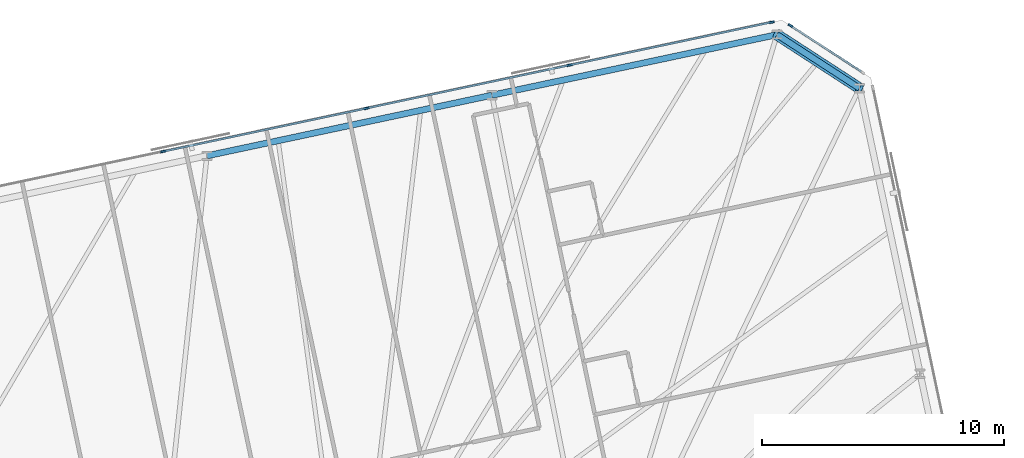
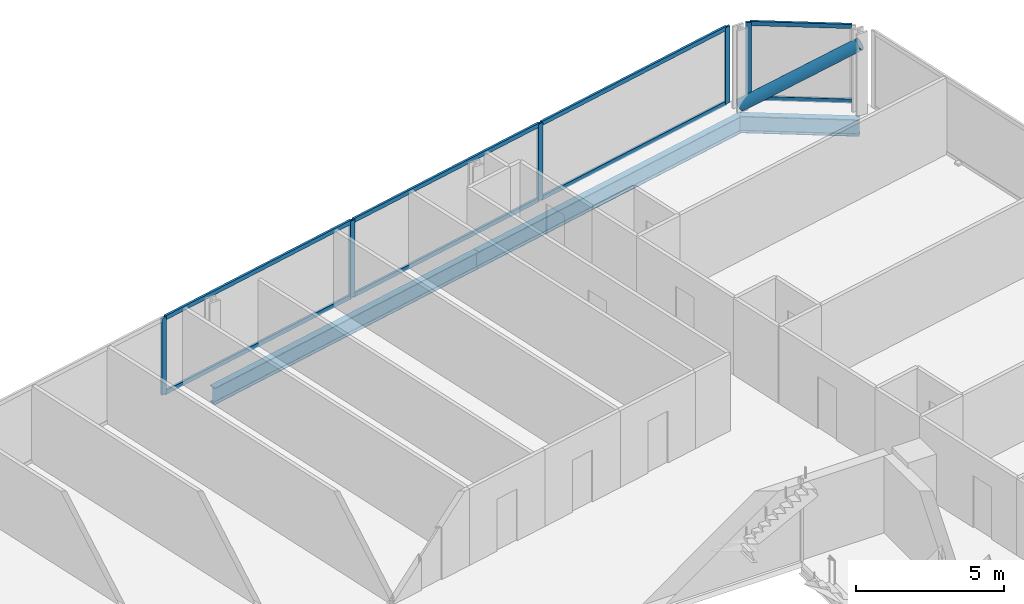
# One storey, part 11 of 21: 14 members, 3 beams, 2 elements without a shape of their own.
"""IFC4 building model written with IfcOpenShell, lengths in metres."""

from ifc_helpers import new_model, si_unit, direction, frame, origin, origin_2d, place, context, subcontext, project, spatial, rectangle, hollow_circle, i_section, extrude, material, material_profile, profile_set, type_object, element, aggregate, save


model = new_model("IFC4")

# Units and contexts
model_context = context("Model", 3, precision=1e-05, world=origin(), true_north=direction((0.0, 1.0)))
body_context = subcontext(model_context, "Body", "Model", "MODEL_VIEW")
ifc_project = project(units=[si_unit("LENGTHUNIT", "METRE"), si_unit("AREAUNIT", "SQUARE_METRE"), si_unit("VOLUMEUNIT", "CUBIC_METRE"), si_unit("PLANEANGLEUNIT", "RADIAN"), si_unit("MASSUNIT", "GRAM", prefix="KILO")], contexts=[model_context])

# Site, building, storey
site_placement = place(None, origin())
site = spatial("IfcSite", under=ifc_project, at=site_placement, CompositionType="ELEMENT")
building_placement = place(site_placement, origin())
building = spatial("IfcBuilding", under=site, at=building_placement, Name="Menara Jurai Vektor", CompositionType="ELEMENT")
storey_placement = place(building_placement, frame((0.0, 0.0, 188.800048828125)))
storey = spatial("IfcBuildingStorey", under=building, at=storey_placement, Name="L49", CompositionType="ELEMENT", Elevation=188.800048828125)

# Curtain wall, member
ifc_material_1 = material(Name="Anodised Pale Aluminium & Low-E Double Glazing", Category="aluminium")
curtain_wall_type = type_object("IfcCurtainWallType", Name="CW-BLK3", PredefinedType="NOTDEFINED", material=ifc_material_1)
curtain_wall_1_placement = place(storey_placement, origin())
curtain_wall_1 = element("IfcCurtainWall", 1, at=curtain_wall_1_placement, inside=storey, type_object=curtain_wall_type, Name="Unitised Curtain Wall L49 F04", PredefinedType="NOTDEFINED")
ifc_material_2 = material(Name="Anodised Pale Aluminium Mullion", Category="aluminium")
ifc_material_profile_1 = material_profile(ifc_material_2, rectangle(XDim=0.0849609375, YDim=0.205078125, at=origin_2d()), Name="ALU MUL 85x205")
ifc_profile_set_1 = profile_set([ifc_material_profile_1], Name="Anodised Pale Aluminium Mullion")
member_type_1 = type_object("IfcMemberType", Name="CW-BLK3-MUL", PredefinedType="MULLION", material=ifc_profile_set_1)
member_1_placement = place(storey_placement, frame((23.219970703125, 29.920654296875, 0.0), z_axis=(0.0, 0.0, 1.0), x_axis=(-0.544617794346, -0.838684361415, 0.0)))
member_1 = element("IfcMember", 2, at=member_1_placement, type_object=member_type_1, Name="CW-03 mullion 2", PredefinedType="MULLION", context=body_context, shape_type="SweptSolid", body=[
    extrude(rectangle(XDim=0.0849609375, YDim=0.205078125, at=origin_2d()), origin(), (0.0, 0.0, 1.0), 3.175048828125),
])

# Curtain wall, members
curtain_wall_2_placement = place(storey_placement, origin())
curtain_wall_2 = element("IfcCurtainWall", 3, at=curtain_wall_2_placement, inside=storey, type_object=curtain_wall_type, Name="Unitised Curtain Wall L49 F05", PredefinedType="NOTDEFINED")
member_2_placement = place(storey_placement, frame((22.452392578125, 30.062744140625, 0.0), z_axis=(0.0, 0.0, 1.0), x_axis=(0.207911344156, -0.978147674419, 0.0)))
member_2 = element("IfcMember", 4, at=member_2_placement, type_object=member_type_1, Name="CW-03 mullion 1", PredefinedType="MULLION", context=body_context, shape_type="SweptSolid", body=[
    extrude(rectangle(XDim=0.0849609375, YDim=0.205078125, at=origin_2d()), origin(), (0.0, 0.0, 1.0), 3.175048828125),
])
member_3_placement = place(storey_placement, frame((14.104248046875, 28.288330078125, 0.0), z_axis=(0.0, 0.0, 1.0), x_axis=(0.207911344156, -0.978147674419, 0.0)))
member_3 = element("IfcMember", 5, at=member_3_placement, type_object=member_type_1, Name="CW-03 mullion 2", PredefinedType="MULLION", context=body_context, shape_type="SweptSolid", body=[
    extrude(rectangle(XDim=0.0849609375, YDim=0.205078125, at=origin_2d()), origin(), (0.0, 0.0, 1.0), 3.175048828125),
])
member_4_placement = place(storey_placement, frame((5.71435546875, 26.505126953125, 0.0), z_axis=(0.0, 0.0, 1.0), x_axis=(0.207911344156, -0.978147674419, 0.0)))
member_4 = element("IfcMember", 6, at=member_4_placement, type_object=member_type_1, Name="CW-03 mullion 3", PredefinedType="MULLION", context=body_context, shape_type="SweptSolid", body=[
    extrude(rectangle(XDim=0.0849609375, YDim=0.205078125, at=origin_2d()), origin(), (0.0, 0.0, 1.0), 3.175048828125),
])
member_5_placement = place(storey_placement, frame((-2.67529296875, 24.721923828125, 0.0), z_axis=(0.0, 0.0, 1.0), x_axis=(0.207911344156, -0.978147674419, 0.0)))
member_5 = element("IfcMember", 7, at=member_5_placement, type_object=member_type_1, Name="CW-03 mullion 4", PredefinedType="MULLION", context=body_context, shape_type="SweptSolid", body=[
    extrude(rectangle(XDim=0.0849609375, YDim=0.205078125, at=origin_2d()), origin(), (0.0, 0.0, 1.0), 3.175048828125),
])

# Member
ifc_material_3 = material(Name="Anodised Pale Aluminium Transom", Category="aluminium")
ifc_material_profile_2 = material_profile(ifc_material_3, rectangle(XDim=0.0849609375, YDim=0.175048828125, at=origin_2d()), Name="ALU TRN 85x175")
ifc_profile_set_2 = profile_set([ifc_material_profile_2], Name="Anodised Pale Aluminium Transom")
member_type_2 = type_object("IfcMemberType", Name="CW-BLK3-TRN", PredefinedType="USERDEFINED", material=ifc_profile_set_2)
member_6_placement = place(storey_placement, frame((26.15234375, 28.016357421875, 0.04248046875), z_axis=(-0.83867770631, 0.54462804274, 0.0), x_axis=(-0.54462804274, -0.83867770631, 0.0)))
member_6 = element("IfcMember", 8, at=member_6_placement, type_object=member_type_2, Name="CW-03 transom 1.1", ObjectType="TRANSOM", PredefinedType="USERDEFINED", context=body_context, shape_type="SweptSolid", body=[
    extrude(rectangle(XDim=0.0849609375, YDim=0.175048828125, at=origin_2d()), origin(), (0.0, 0.0, 1.0), 3.453857421875),
])

member_7_placement = place(storey_placement, frame((26.15234375, 28.016357421875, 3.132568359375), z_axis=(-0.83867770631, 0.54462804274, 0.0), x_axis=(-0.54462804274, -0.83867770631, 0.0)))
member_7 = element("IfcMember", 9, at=member_7_placement, type_object=member_type_2, Name="CW-03 transom 1.2", ObjectType="TRANSOM", PredefinedType="USERDEFINED", context=body_context, shape_type="SweptSolid", body=[
    extrude(rectangle(XDim=0.0849609375, YDim=0.175048828125, at=origin_2d()), origin(), (0.0, 0.0, 1.0), 3.453857421875),
])

aggregate(curtain_wall_1, [member_1, member_6, member_7])

member_8_placement = place(storey_placement, frame((22.41064453125, 30.053955078125, 0.04248046875), z_axis=(-0.978151580361, -0.207892967261, 0.0), x_axis=(0.207892967261, -0.978151580361, 0.0)))
member_8 = element("IfcMember", 10, at=member_8_placement, type_object=member_type_2, Name="CW-03 transom 1.1", ObjectType="TRANSOM", PredefinedType="USERDEFINED", context=body_context, shape_type="SweptSolid", body=[
    extrude(rectangle(XDim=0.0849609375, YDim=0.175048828125, at=origin_2d()), origin(), (0.0, 0.0, 1.0), 8.449462890625),
])

member_9_placement = place(storey_placement, frame((22.41064453125, 30.053955078125, 3.132568359375), z_axis=(-0.978151580361, -0.207892967261, 0.0), x_axis=(0.207892967261, -0.978151580361, 0.0)))
member_9 = element("IfcMember", 11, at=member_9_placement, type_object=member_type_2, Name="CW-03 transom 1.2", ObjectType="TRANSOM", PredefinedType="USERDEFINED", context=body_context, shape_type="SweptSolid", body=[
    extrude(rectangle(XDim=0.0849609375, YDim=0.175048828125, at=origin_2d()), origin(), (0.0, 0.0, 1.0), 8.449462890625),
])

member_10_placement = place(storey_placement, frame((14.0625, 28.279541015625, 0.04248046875), z_axis=(-0.978146500933, -0.207916864907, 0.0), x_axis=(0.207916864907, -0.978146500933, 0.0)))
member_10 = element("IfcMember", 12, at=member_10_placement, type_object=member_type_2, Name="CW-03 transom 2.1", ObjectType="TRANSOM", PredefinedType="USERDEFINED", context=body_context, shape_type="SweptSolid", body=[
    extrude(rectangle(XDim=0.0849609375, YDim=0.175048828125, at=origin_2d()), origin(), (0.0, 0.0, 1.0), 8.491943359375),
])

member_11_placement = place(storey_placement, frame((14.0625, 28.279541015625, 3.132568359375), z_axis=(-0.978146500933, -0.207916864907, 0.0), x_axis=(0.207916864907, -0.978146500933, 0.0)))
member_11 = element("IfcMember", 13, at=member_11_placement, type_object=member_type_2, Name="CW-03 transom 2.2", ObjectType="TRANSOM", PredefinedType="USERDEFINED", context=body_context, shape_type="SweptSolid", body=[
    extrude(rectangle(XDim=0.0849609375, YDim=0.175048828125, at=origin_2d()), origin(), (0.0, 0.0, 1.0), 8.491943359375),
])

member_12_placement = place(storey_placement, frame((5.6728515625, 26.496337890625, 0.04248046875), z_axis=(-0.978147743708, -0.207911018178, 0.0), x_axis=(0.207911018178, -0.978147743708, 0.0)))
member_12 = element("IfcMember", 14, at=member_12_placement, type_object=member_type_2, Name="CW-03 transom 3.1", ObjectType="TRANSOM", PredefinedType="USERDEFINED", context=body_context, shape_type="SweptSolid", body=[
    extrude(rectangle(XDim=0.0849609375, YDim=0.175048828125, at=origin_2d()), origin(), (0.0, 0.0, 1.0), 8.4921875),
])

member_13_placement = place(storey_placement, frame((5.6728515625, 26.496337890625, 3.132568359375), z_axis=(-0.978147743708, -0.207911018178, 0.0), x_axis=(0.207911018178, -0.978147743708, 0.0)))
member_13 = element("IfcMember", 15, at=member_13_placement, type_object=member_type_2, Name="CW-03 transom 3.2", ObjectType="TRANSOM", PredefinedType="USERDEFINED", context=body_context, shape_type="SweptSolid", body=[
    extrude(rectangle(XDim=0.0849609375, YDim=0.175048828125, at=origin_2d()), origin(), (0.0, 0.0, 1.0), 8.4921875),
])

aggregate(curtain_wall_2, [member_2, member_3, member_4, member_5, member_8, member_9, member_10, member_11, member_12, member_13])

ifc_material_4 = material(Name="Steel S460", Category="steel")
ifc_material_profile_3 = material_profile(ifc_material_4, hollow_circle(Radius=0.228515625, WallThickness=0.01611328125, at=origin_2d()), Name="CHS 457x16")
ifc_profile_set_3 = profile_set([ifc_material_profile_3], Name="Steel S460")
member_type_3 = type_object("IfcMemberType", Name="STR-BR-457", PredefinedType="BRACE", material=ifc_profile_set_3)
member_14_placement = place(storey_placement, frame((22.664794921875, 29.545654296875, 0.14990234375), z_axis=(0.700418818423, -0.454848055166, 0.550024295382), x_axis=(0.544631249681, 0.838675623749, 0.0)))
element("IfcMember", 16, at=member_14_placement, inside=storey, type_object=member_type_3, Name="Exoskeleton Corner Brace L49-2", PredefinedType="BRACE", context=body_context, shape_type="SweptSolid", body=[
    extrude(hollow_circle(Radius=0.228515625, WallThickness=0.01611328125, at=origin_2d()), origin(), (0.0, 0.0, 1.0), 4.863525390625),
])

# Beams
ifc_material_profile_4 = material_profile(ifc_material_4, i_section(OverallWidth=0.256103515625, OverallDepth=0.693115234375, WebThickness=0.013916015625, FlangeThickness=0.02392578125, FilletRadius=0.014892578125, at=origin_2d()), Name="UKB 686x254x170")
ifc_profile_set_4 = profile_set([ifc_material_profile_4], Name="Steel S460")
beam_type = type_object("IfcBeamType", Name="STR-SP-686", PredefinedType="SPANDREL", material=ifc_profile_set_4)
beam_1_placement = place(storey_placement, frame((26.0712890625, 27.33349609375, -0.571533203125), z_axis=(-0.838675623749, 0.544631249681, 0.0), x_axis=(-0.544631249681, -0.838675623749, 0.0)))
element("IfcBeam", 17, at=beam_1_placement, inside=storey, type_object=beam_type, Name="Exoskeleton Spandrel Beam L49-10", PredefinedType="SPANDREL", context=body_context, shape_type="SweptSolid", body=[
    extrude(i_section(OverallWidth=0.256103515625, OverallDepth=0.693115234375, WebThickness=0.013916015625, FlangeThickness=0.02392578125, FilletRadius=0.014892578125, at=origin_2d()), origin(), (0.0, 0.0, 1.0), 4.061767578125),
])
beam_2_placement = place(storey_placement, frame((22.664794921875, 29.545654296875, -0.571533203125), z_axis=(-0.978147039247, -0.207914332389, 0.0), x_axis=(0.207914332389, -0.978147039247, 0.0)))
element("IfcBeam", 18, at=beam_2_placement, inside=storey, type_object=beam_type, Name="Exoskeleton Spandrel Beam L49-11", PredefinedType="SPANDREL", context=body_context, shape_type="SweptSolid", body=[
    extrude(i_section(OverallWidth=0.256103515625, OverallDepth=0.693115234375, WebThickness=0.013916015625, FlangeThickness=0.02392578125, FilletRadius=0.014892578125, at=origin_2d()), origin(), (0.0, 0.0, 1.0), 12.03125),
])
beam_3_placement = place(storey_placement, frame((10.896484375, 27.044189453125, -0.571533203125), z_axis=(-0.978150288855, -0.207899043801, 0.0), x_axis=(0.207899043801, -0.978150288855, 0.0)))
element("IfcBeam", 19, at=beam_3_placement, inside=storey, type_object=beam_type, Name="Exoskeleton Spandrel Beam L49-12", PredefinedType="SPANDREL", context=body_context, shape_type="SweptSolid", body=[
    extrude(i_section(OverallWidth=0.256103515625, OverallDepth=0.693115234375, WebThickness=0.013916015625, FlangeThickness=0.02392578125, FilletRadius=0.014892578125, at=origin_2d()), origin(), (0.0, 0.0, 1.0), 12.031005859375),
])

save(model, "model.ifc")
